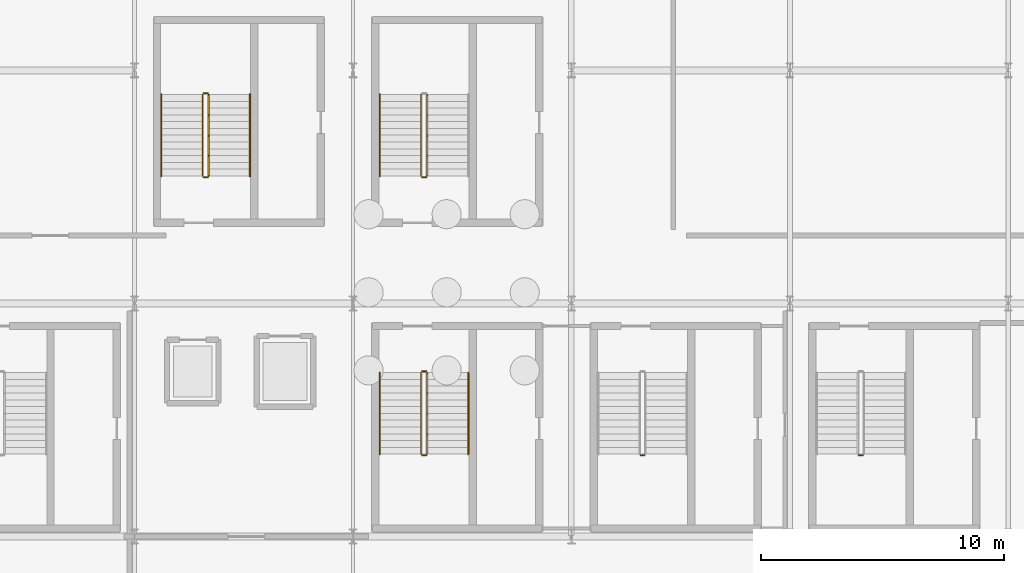
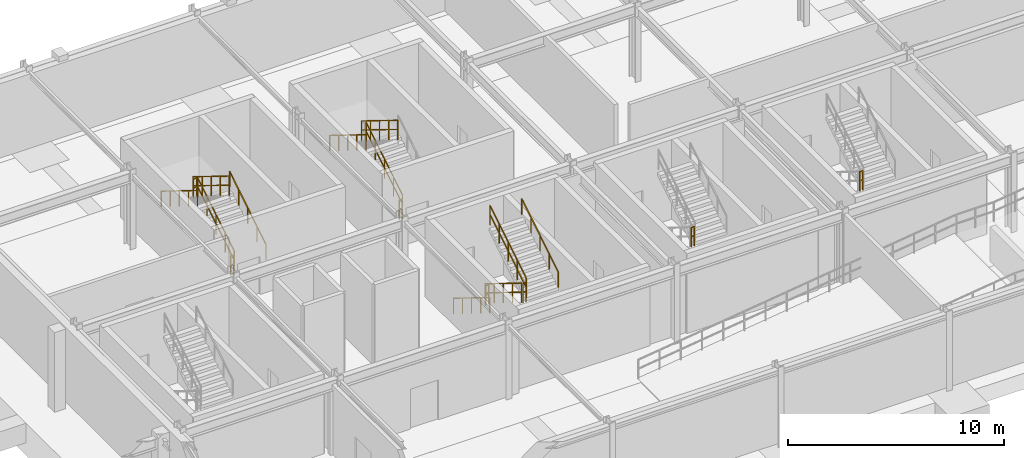
# One storey, part 52 of 59: 18 railings.
"""IFC4 building model written with IfcOpenShell, lengths in metres."""

from ifc_helpers import new_model, si_unit, direction, frame, origin, origin_2d, place, context, subcontext, project, spatial, rectangle, extrude, material, type_object, element, save


model = new_model("IFC4")

# Units and contexts
model_context = context("Model", 3, precision=1e-05, world=origin(), true_north=direction((0.0, 1.0)))
body_context = subcontext(model_context, "Body", "Model", "MODEL_VIEW")
ifc_project = project(units=[si_unit("LENGTHUNIT", "METRE"), si_unit("AREAUNIT", "SQUARE_METRE"), si_unit("VOLUMEUNIT", "CUBIC_METRE"), si_unit("PLANEANGLEUNIT", "RADIAN"), si_unit("MASSUNIT", "GRAM", prefix="KILO")], contexts=[model_context])

# Site, building, storey
site_placement = place(None, origin())
site = spatial("IfcSite", under=ifc_project, at=site_placement, CompositionType="ELEMENT")
building_placement = place(site_placement, origin())
building = spatial("IfcBuilding", under=site, at=building_placement, Name="Myrtia Square Station", CompositionType="ELEMENT")
storey_placement = place(building_placement, frame((0.0, 0.0, -4.5)))
storey = spatial("IfcBuildingStorey", under=building, at=storey_placement, Name="B01", CompositionType="ELEMENT", Elevation=-4.5)

# Railings
ifc_material_1 = material(Name="Dark bronze anodised aluminium", Category="aluminium")
railing_type_1 = type_object("IfcRailingType", Name="RL-HANDRAIL-900", PredefinedType="HANDRAIL", material=ifc_material_1)
railing_1_placement = place(storey_placement, frame((136.10009765625, 16.35009765625, 0.173095703125)))
element("IfcRailing", 1, at=railing_1_placement, inside=storey, type_object=railing_type_1, Name="B01 ST06 stair handrail 1", PredefinedType="HANDRAIL", context=body_context, shape_type="SweptSolid", body=[
    extrude(rectangle(XDim=0.048095703125, YDim=0.048095703125, at=origin_2d()), frame((0.0, -0.029541015625, 0.89404296875), z_axis=(0.0, -0.850623216509, 0.525775754039), x_axis=(1.0, 0.0, 0.0)), (0.0, 0.0, 1.0), 0.918212890625),
    extrude(rectangle(XDim=0.048095703125, YDim=0.048095703125, at=origin_2d()), frame((0.0, -0.869384765625, 1.413330078125), z_axis=(0.0, -0.850623216509, 0.525775754039), x_axis=(1.0, 0.0, 0.0)), (0.0, 0.0, 1.0), 0.918212890625),
    extrude(rectangle(XDim=0.048095703125, YDim=0.048095703125, at=origin_2d()), frame((0.0, -1.70947265625, 1.9326171875), z_axis=(0.0, -0.850623216509, 0.525775754039), x_axis=(1.0, 0.0, 0.0)), (0.0, 0.0, 1.0), 0.918212890625),
    extrude(rectangle(XDim=0.048095703125, YDim=0.048095703125, at=origin_2d()), frame((0.0, -2.549560546875, 2.45166015625), z_axis=(0.0, -0.850623216509, 0.525775754039), x_axis=(1.0, 0.0, 0.0)), (0.0, 0.0, 1.0), 0.918212890625),
    extrude(rectangle(XDim=0.0439453125, YDim=0.0439453125, at=origin_2d()), origin(), (0.0, 0.0, 1.0), 0.89990234375),
    extrude(rectangle(XDim=0.0439453125, YDim=0.0439453125, at=origin_2d()), frame((0.0, -0.840087890625, 0.519287109375)), (0.0, 0.0, 1.0), 0.89990234375),
    extrude(rectangle(XDim=0.0439453125, YDim=0.0439453125, at=origin_2d()), frame((0.0, -1.68017578125, 1.03857421875)), (0.0, 0.0, 1.0), 0.89990234375),
    extrude(rectangle(XDim=0.0439453125, YDim=0.0439453125, at=origin_2d()), frame((0.0, -2.52001953125, 1.5576171875)), (0.0, 0.0, 1.0), 0.89990234375),
    extrude(rectangle(XDim=0.0439453125, YDim=0.0439453125, at=origin_2d()), frame((0.0, -3.360107421875, 2.076904296875)), (0.0, 0.0, 1.0), 0.89990234375),
])
railing_2_placement = place(storey_placement, frame((139.760009765625, 12.989990234375, 2.423095703125)))
element("IfcRailing", 2, at=railing_2_placement, inside=storey, type_object=railing_type_1, Name="B01 ST06 stair handrail 2", PredefinedType="HANDRAIL", context=body_context, shape_type="SweptSolid", body=[
    extrude(rectangle(XDim=0.048095703125, YDim=0.048095703125, at=origin_2d()), frame((0.0, 0.029541015625, 0.89404296875), z_axis=(0.0, 0.850623216509, 0.525775754039), x_axis=(-1.0, 0.0, 0.0)), (0.0, 0.0, 1.0), 0.918212890625),
    extrude(rectangle(XDim=0.048095703125, YDim=0.048095703125, at=origin_2d()), frame((0.0, 0.869384765625, 1.413330078125), z_axis=(0.0, 0.850623216509, 0.525775754039), x_axis=(-1.0, 0.0, 0.0)), (0.0, 0.0, 1.0), 0.918212890625),
    extrude(rectangle(XDim=0.048095703125, YDim=0.048095703125, at=origin_2d()), frame((0.0, 1.70947265625, 1.9326171875), z_axis=(0.0, 0.850623216509, 0.525775754039), x_axis=(-1.0, 0.0, 0.0)), (0.0, 0.0, 1.0), 0.918212890625),
    extrude(rectangle(XDim=0.048095703125, YDim=0.048095703125, at=origin_2d()), frame((0.0, 2.549560546875, 2.45166015625), z_axis=(0.0, 0.850623216509, 0.525775754039), x_axis=(-1.0, 0.0, 0.0)), (0.0, 0.0, 1.0), 0.918212890625),
    extrude(rectangle(XDim=0.0439453125, YDim=0.0439453125, at=origin_2d()), origin(), (0.0, 0.0, 1.0), 0.89990234375),
    extrude(rectangle(XDim=0.0439453125, YDim=0.0439453125, at=origin_2d()), frame((0.0, 0.840087890625, 0.519287109375)), (0.0, 0.0, 1.0), 0.89990234375),
    extrude(rectangle(XDim=0.0439453125, YDim=0.0439453125, at=origin_2d()), frame((0.0, 1.68017578125, 1.03857421875)), (0.0, 0.0, 1.0), 0.89990234375),
    extrude(rectangle(XDim=0.0439453125, YDim=0.0439453125, at=origin_2d()), frame((0.0, 2.52001953125, 1.5576171875)), (0.0, 0.0, 1.0), 0.89990234375),
    extrude(rectangle(XDim=0.0439453125, YDim=0.0439453125, at=origin_2d()), frame((0.0, 3.360107421875, 2.076904296875)), (0.0, 0.0, 1.0), 0.89990234375),
])
railing_3_placement = place(storey_placement, frame((136.10009765625, 27.81005859375, 2.423095703125)))
element("IfcRailing", 3, at=railing_3_placement, inside=storey, type_object=railing_type_1, Name="B01 ST09 stair handrail 2", PredefinedType="HANDRAIL", context=body_context, shape_type="SweptSolid", body=[
    extrude(rectangle(XDim=0.048095703125, YDim=0.048095703125, at=origin_2d()), frame((0.0, -0.029541015625, 0.89404296875), z_axis=(0.0, -0.850623216509, 0.525775754039), x_axis=(1.0, 0.0, 0.0)), (0.0, 0.0, 1.0), 0.918212890625),
    extrude(rectangle(XDim=0.048095703125, YDim=0.048095703125, at=origin_2d()), frame((0.0, -0.869384765625, 1.413330078125), z_axis=(0.0, -0.850623216509, 0.525775754039), x_axis=(1.0, 0.0, 0.0)), (0.0, 0.0, 1.0), 0.918212890625),
    extrude(rectangle(XDim=0.048095703125, YDim=0.048095703125, at=origin_2d()), frame((0.0, -1.70947265625, 1.9326171875), z_axis=(0.0, -0.850623216509, 0.525775754039), x_axis=(1.0, 0.0, 0.0)), (0.0, 0.0, 1.0), 0.918212890625),
    extrude(rectangle(XDim=0.048095703125, YDim=0.048095703125, at=origin_2d()), frame((0.0, -2.549560546875, 2.45166015625), z_axis=(0.0, -0.850623216509, 0.525775754039), x_axis=(1.0, 0.0, 0.0)), (0.0, 0.0, 1.0), 0.918212890625),
    extrude(rectangle(XDim=0.0439453125, YDim=0.0439453125, at=origin_2d()), origin(), (0.0, 0.0, 1.0), 0.89990234375),
    extrude(rectangle(XDim=0.0439453125, YDim=0.0439453125, at=origin_2d()), frame((0.0, -0.840087890625, 0.519287109375)), (0.0, 0.0, 1.0), 0.89990234375),
    extrude(rectangle(XDim=0.0439453125, YDim=0.0439453125, at=origin_2d()), frame((0.0, -1.68017578125, 1.03857421875)), (0.0, 0.0, 1.0), 0.89990234375),
    extrude(rectangle(XDim=0.0439453125, YDim=0.0439453125, at=origin_2d()), frame((0.0, -2.52001953125, 1.5576171875)), (0.0, 0.0, 1.0), 0.89990234375),
    extrude(rectangle(XDim=0.0439453125, YDim=0.0439453125, at=origin_2d()), frame((0.0, -3.360107421875, 2.076904296875)), (0.0, 0.0, 1.0), 0.89990234375),
])
railing_4_placement = place(storey_placement, frame((130.760009765625, 24.449951171875, 0.173095703125)))
element("IfcRailing", 4, at=railing_4_placement, inside=storey, type_object=railing_type_1, Name="B01 ST10 stair handrail 1", PredefinedType="HANDRAIL", context=body_context, shape_type="SweptSolid", body=[
    extrude(rectangle(XDim=0.048095703125, YDim=0.048095703125, at=origin_2d()), frame((0.0, 0.029541015625, 0.89404296875), z_axis=(0.0, 0.850623216509, 0.525775754039), x_axis=(-1.0, 0.0, 0.0)), (0.0, 0.0, 1.0), 0.918212890625),
    extrude(rectangle(XDim=0.048095703125, YDim=0.048095703125, at=origin_2d()), frame((0.0, 0.869384765625, 1.413330078125), z_axis=(0.0, 0.850623216509, 0.525775754039), x_axis=(-1.0, 0.0, 0.0)), (0.0, 0.0, 1.0), 0.918212890625),
    extrude(rectangle(XDim=0.048095703125, YDim=0.048095703125, at=origin_2d()), frame((0.0, 1.70947265625, 1.9326171875), z_axis=(0.0, 0.850623216509, 0.525775754039), x_axis=(-1.0, 0.0, 0.0)), (0.0, 0.0, 1.0), 0.918212890625),
    extrude(rectangle(XDim=0.048095703125, YDim=0.048095703125, at=origin_2d()), frame((0.0, 2.549560546875, 2.45166015625), z_axis=(0.0, 0.850623216509, 0.525775754039), x_axis=(-1.0, 0.0, 0.0)), (0.0, 0.0, 1.0), 0.918212890625),
    extrude(rectangle(XDim=0.0439453125, YDim=0.0439453125, at=origin_2d()), origin(), (0.0, 0.0, 1.0), 0.89990234375),
    extrude(rectangle(XDim=0.0439453125, YDim=0.0439453125, at=origin_2d()), frame((0.0, 0.840087890625, 0.519287109375)), (0.0, 0.0, 1.0), 0.89990234375),
    extrude(rectangle(XDim=0.0439453125, YDim=0.0439453125, at=origin_2d()), frame((0.0, 1.68017578125, 1.03857421875)), (0.0, 0.0, 1.0), 0.89990234375),
    extrude(rectangle(XDim=0.0439453125, YDim=0.0439453125, at=origin_2d()), frame((0.0, 2.52001953125, 1.5576171875)), (0.0, 0.0, 1.0), 0.89990234375),
    extrude(rectangle(XDim=0.0439453125, YDim=0.0439453125, at=origin_2d()), frame((0.0, 3.360107421875, 2.076904296875)), (0.0, 0.0, 1.0), 0.89990234375),
])
railing_5_placement = place(storey_placement, frame((127.10009765625, 27.81005859375, 2.423095703125)))
element("IfcRailing", 5, at=railing_5_placement, inside=storey, type_object=railing_type_1, Name="B01 ST10 stair handrail 2", PredefinedType="HANDRAIL", context=body_context, shape_type="SweptSolid", body=[
    extrude(rectangle(XDim=0.048095703125, YDim=0.048095703125, at=origin_2d()), frame((0.0, -0.029541015625, 0.89404296875), z_axis=(0.0, -0.850623216509, 0.525775754039), x_axis=(1.0, 0.0, 0.0)), (0.0, 0.0, 1.0), 0.918212890625),
    extrude(rectangle(XDim=0.048095703125, YDim=0.048095703125, at=origin_2d()), frame((0.0, -0.869384765625, 1.413330078125), z_axis=(0.0, -0.850623216509, 0.525775754039), x_axis=(1.0, 0.0, 0.0)), (0.0, 0.0, 1.0), 0.918212890625),
    extrude(rectangle(XDim=0.048095703125, YDim=0.048095703125, at=origin_2d()), frame((0.0, -1.70947265625, 1.9326171875), z_axis=(0.0, -0.850623216509, 0.525775754039), x_axis=(1.0, 0.0, 0.0)), (0.0, 0.0, 1.0), 0.918212890625),
    extrude(rectangle(XDim=0.048095703125, YDim=0.048095703125, at=origin_2d()), frame((0.0, -2.549560546875, 2.45166015625), z_axis=(0.0, -0.850623216509, 0.525775754039), x_axis=(1.0, 0.0, 0.0)), (0.0, 0.0, 1.0), 0.918212890625),
    extrude(rectangle(XDim=0.0439453125, YDim=0.0439453125, at=origin_2d()), origin(), (0.0, 0.0, 1.0), 0.89990234375),
    extrude(rectangle(XDim=0.0439453125, YDim=0.0439453125, at=origin_2d()), frame((0.0, -0.840087890625, 0.519287109375)), (0.0, 0.0, 1.0), 0.89990234375),
    extrude(rectangle(XDim=0.0439453125, YDim=0.0439453125, at=origin_2d()), frame((0.0, -1.68017578125, 1.03857421875)), (0.0, 0.0, 1.0), 0.89990234375),
    extrude(rectangle(XDim=0.0439453125, YDim=0.0439453125, at=origin_2d()), frame((0.0, -2.52001953125, 1.5576171875)), (0.0, 0.0, 1.0), 0.89990234375),
    extrude(rectangle(XDim=0.0439453125, YDim=0.0439453125, at=origin_2d()), frame((0.0, -3.360107421875, 2.076904296875)), (0.0, 0.0, 1.0), 0.89990234375),
])
ifc_material_2 = material(Name="Wrought iron", Category="steel")
railing_type_2 = type_object("IfcRailingType", Name="RL-INT-GUARD-1100", PredefinedType="BALUSTRADE", material=ifc_material_2)
railing_6_placement = place(storey_placement, frame((137.800048828125, 16.35009765625, 0.173095703125)))
element("IfcRailing", 6, at=railing_6_placement, inside=storey, type_object=railing_type_2, Name="B01 ST06 stair guard 1", PredefinedType="BALUSTRADE", context=body_context, shape_type="SweptSolid", body=[
    extrude(rectangle(XDim=0.048095703125, YDim=0.048095703125, at=origin_2d()), frame((0.0, -0.029541015625, 1.1142578125), z_axis=(0.0, -0.850623216509, 0.525775754039), x_axis=(1.0, 0.0, 0.0)), (0.0, 0.0, 1.0), 0.918212890625),
    extrude(rectangle(XDim=0.048095703125, YDim=0.048095703125, at=origin_2d()), frame((0.0, -0.029541015625, 0.6005859375), z_axis=(0.0, -0.850623216509, 0.525775754039), x_axis=(1.0, 0.0, 0.0)), (0.0, 0.0, 1.0), 0.918212890625),
    extrude(rectangle(XDim=0.048095703125, YDim=0.048095703125, at=origin_2d()), frame((0.0, -0.869384765625, 1.633544921875), z_axis=(0.0, -0.850623216509, 0.525775754039), x_axis=(1.0, 0.0, 0.0)), (0.0, 0.0, 1.0), 0.918212890625),
    extrude(rectangle(XDim=0.048095703125, YDim=0.048095703125, at=origin_2d()), frame((0.0, -0.869384765625, 1.119873046875), z_axis=(0.0, -0.850623216509, 0.525775754039), x_axis=(1.0, 0.0, 0.0)), (0.0, 0.0, 1.0), 0.918212890625),
    extrude(rectangle(XDim=0.048095703125, YDim=0.048095703125, at=origin_2d()), frame((0.0, -1.70947265625, 2.15283203125), z_axis=(0.0, -0.850623216509, 0.525775754039), x_axis=(1.0, 0.0, 0.0)), (0.0, 0.0, 1.0), 0.918212890625),
    extrude(rectangle(XDim=0.048095703125, YDim=0.048095703125, at=origin_2d()), frame((0.0, -1.70947265625, 1.63916015625), z_axis=(0.0, -0.850623216509, 0.525775754039), x_axis=(1.0, 0.0, 0.0)), (0.0, 0.0, 1.0), 0.918212890625),
    extrude(rectangle(XDim=0.048095703125, YDim=0.048095703125, at=origin_2d()), frame((0.0, -2.549560546875, 2.671875), z_axis=(0.0, -0.850623216509, 0.525775754039), x_axis=(1.0, 0.0, 0.0)), (0.0, 0.0, 1.0), 0.918212890625),
    extrude(rectangle(XDim=0.048095703125, YDim=0.048095703125, at=origin_2d()), frame((0.0, -2.549560546875, 2.158447265625), z_axis=(0.0, -0.850623216509, 0.525775754039), x_axis=(1.0, 0.0, 0.0)), (0.0, 0.0, 1.0), 0.918212890625),
    extrude(rectangle(XDim=0.0439453125, YDim=0.0439453125, at=origin_2d()), origin(), (0.0, 0.0, 1.0), 1.1201171875),
    extrude(rectangle(XDim=0.0439453125, YDim=0.0439453125, at=origin_2d()), frame((0.0, -0.840087890625, 0.519287109375)), (0.0, 0.0, 1.0), 1.1201171875),
    extrude(rectangle(XDim=0.0439453125, YDim=0.0439453125, at=origin_2d()), frame((0.0, -1.68017578125, 1.03857421875)), (0.0, 0.0, 1.0), 1.1201171875),
    extrude(rectangle(XDim=0.0439453125, YDim=0.0439453125, at=origin_2d()), frame((0.0, -2.52001953125, 1.5576171875)), (0.0, 0.0, 1.0), 1.1201171875),
    extrude(rectangle(XDim=0.0439453125, YDim=0.0439453125, at=origin_2d()), frame((0.0, -3.360107421875, 2.076904296875)), (0.0, 0.0, 1.0), 1.1201171875),
])
railing_7_placement = place(storey_placement, frame((137.85009765625, 12.93994140625, 2.25)))
element("IfcRailing", 7, at=railing_7_placement, inside=storey, type_object=railing_type_2, Name="B01 ST06 stair guard 2", PredefinedType="BALUSTRADE", context=body_context, shape_type="SweptSolid", body=[
    extrude(rectangle(XDim=0.048095703125, YDim=0.048095703125, at=origin_2d()), frame((0.03466796875, 0.0, 1.09619140625), z_axis=(1.0, 0.0, 0.0), x_axis=(0.0, 1.0, 0.0)), (0.0, 0.0, 1.0), 0.090576171875),
    extrude(rectangle(XDim=0.048095703125, YDim=0.048095703125, at=origin_2d()), frame((0.03466796875, 0.0, 0.58251953125), z_axis=(1.0, 0.0, 0.0), x_axis=(0.0, 1.0, 0.0)), (0.0, 0.0, 1.0), 0.090576171875),
    extrude(rectangle(XDim=0.0439453125, YDim=0.0439453125, at=origin_2d()), origin(), (0.0, 0.0, 1.0), 1.1201171875),
    extrude(rectangle(XDim=0.0439453125, YDim=0.0439453125, at=origin_2d()), frame((0.159912109375, 0.0, 0.0)), (0.0, 0.0, 1.0), 1.1201171875),
])
railing_8_placement = place(storey_placement, frame((138.06005859375, 12.989990234375, 2.423095703125)))
element("IfcRailing", 8, at=railing_8_placement, inside=storey, type_object=railing_type_2, Name="B01 ST06 stair guard 3", PredefinedType="BALUSTRADE", context=body_context, shape_type="SweptSolid", body=[
    extrude(rectangle(XDim=0.048095703125, YDim=0.048095703125, at=origin_2d()), frame((0.0, 0.029541015625, 1.1142578125), z_axis=(0.0, 0.850623216509, 0.525775754039), x_axis=(-1.0, 0.0, 0.0)), (0.0, 0.0, 1.0), 0.918212890625),
    extrude(rectangle(XDim=0.048095703125, YDim=0.048095703125, at=origin_2d()), frame((0.0, 0.029541015625, 0.6005859375), z_axis=(0.0, 0.850623216509, 0.525775754039), x_axis=(-1.0, 0.0, 0.0)), (0.0, 0.0, 1.0), 0.918212890625),
    extrude(rectangle(XDim=0.048095703125, YDim=0.048095703125, at=origin_2d()), frame((0.0, 0.869384765625, 1.633544921875), z_axis=(0.0, 0.850623216509, 0.525775754039), x_axis=(-1.0, 0.0, 0.0)), (0.0, 0.0, 1.0), 0.918212890625),
    extrude(rectangle(XDim=0.048095703125, YDim=0.048095703125, at=origin_2d()), frame((0.0, 0.869384765625, 1.119873046875), z_axis=(0.0, 0.850623216509, 0.525775754039), x_axis=(-1.0, 0.0, 0.0)), (0.0, 0.0, 1.0), 0.918212890625),
    extrude(rectangle(XDim=0.048095703125, YDim=0.048095703125, at=origin_2d()), frame((0.0, 1.70947265625, 2.15283203125), z_axis=(0.0, 0.850623216509, 0.525775754039), x_axis=(-1.0, 0.0, 0.0)), (0.0, 0.0, 1.0), 0.918212890625),
    extrude(rectangle(XDim=0.048095703125, YDim=0.048095703125, at=origin_2d()), frame((0.0, 1.70947265625, 1.63916015625), z_axis=(0.0, 0.850623216509, 0.525775754039), x_axis=(-1.0, 0.0, 0.0)), (0.0, 0.0, 1.0), 0.918212890625),
    extrude(rectangle(XDim=0.048095703125, YDim=0.048095703125, at=origin_2d()), frame((0.0, 2.549560546875, 2.671875), z_axis=(0.0, 0.850623216509, 0.525775754039), x_axis=(-1.0, 0.0, 0.0)), (0.0, 0.0, 1.0), 0.918212890625),
    extrude(rectangle(XDim=0.048095703125, YDim=0.048095703125, at=origin_2d()), frame((0.0, 2.549560546875, 2.158447265625), z_axis=(0.0, 0.850623216509, 0.525775754039), x_axis=(-1.0, 0.0, 0.0)), (0.0, 0.0, 1.0), 0.918212890625),
    extrude(rectangle(XDim=0.0439453125, YDim=0.0439453125, at=origin_2d()), origin(), (0.0, 0.0, 1.0), 1.1201171875),
    extrude(rectangle(XDim=0.0439453125, YDim=0.0439453125, at=origin_2d()), frame((0.0, 0.840087890625, 0.519287109375)), (0.0, 0.0, 1.0), 1.1201171875),
    extrude(rectangle(XDim=0.0439453125, YDim=0.0439453125, at=origin_2d()), frame((0.0, 1.68017578125, 1.03857421875)), (0.0, 0.0, 1.0), 1.1201171875),
    extrude(rectangle(XDim=0.0439453125, YDim=0.0439453125, at=origin_2d()), frame((0.0, 2.52001953125, 1.5576171875)), (0.0, 0.0, 1.0), 1.1201171875),
    extrude(rectangle(XDim=0.0439453125, YDim=0.0439453125, at=origin_2d()), frame((0.0, 3.360107421875, 2.076904296875)), (0.0, 0.0, 1.0), 1.1201171875),
])
railing_9_placement = place(storey_placement, frame((137.85009765625, 16.39990234375, 0.0)))
element("IfcRailing", 9, at=railing_9_placement, inside=storey, type_object=railing_type_2, Name="B01 ST06 stair guard 4", PredefinedType="BALUSTRADE", context=body_context, shape_type="SweptSolid", body=[
    extrude(rectangle(XDim=0.048095703125, YDim=0.048095703125, at=origin_2d()), frame((0.03466796875, 0.0, 1.09619140625), z_axis=(1.0, 0.0, 0.0), x_axis=(0.0, 1.0, 0.0)), (0.0, 0.0, 1.0), 0.090576171875),
    extrude(rectangle(XDim=0.048095703125, YDim=0.048095703125, at=origin_2d()), frame((0.03466796875, 0.0, 0.58251953125), z_axis=(1.0, 0.0, 0.0), x_axis=(0.0, 1.0, 0.0)), (0.0, 0.0, 1.0), 0.090576171875),
    extrude(rectangle(XDim=0.0439453125, YDim=0.0439453125, at=origin_2d()), origin(), (0.0, 0.0, 1.0), 1.1201171875),
    extrude(rectangle(XDim=0.0439453125, YDim=0.0439453125, at=origin_2d()), frame((0.159912109375, 0.0, 0.0)), (0.0, 0.0, 1.0), 1.1201171875),
])
railing_10_placement = place(storey_placement, frame((138.06005859375, 24.449951171875, 0.173095703125)))
element("IfcRailing", 10, at=railing_10_placement, inside=storey, type_object=railing_type_2, Name="B01 ST09 stair guard 1", PredefinedType="BALUSTRADE", context=body_context, shape_type="SweptSolid", body=[
    extrude(rectangle(XDim=0.048095703125, YDim=0.048095703125, at=origin_2d()), frame((0.0, 0.029541015625, 1.1142578125), z_axis=(0.0, 0.850623216509, 0.525775754039), x_axis=(-1.0, 0.0, 0.0)), (0.0, 0.0, 1.0), 0.918212890625),
    extrude(rectangle(XDim=0.048095703125, YDim=0.048095703125, at=origin_2d()), frame((0.0, 0.029541015625, 0.6005859375), z_axis=(0.0, 0.850623216509, 0.525775754039), x_axis=(-1.0, 0.0, 0.0)), (0.0, 0.0, 1.0), 0.918212890625),
    extrude(rectangle(XDim=0.048095703125, YDim=0.048095703125, at=origin_2d()), frame((0.0, 0.869384765625, 1.633544921875), z_axis=(0.0, 0.850623216509, 0.525775754039), x_axis=(-1.0, 0.0, 0.0)), (0.0, 0.0, 1.0), 0.918212890625),
    extrude(rectangle(XDim=0.048095703125, YDim=0.048095703125, at=origin_2d()), frame((0.0, 0.869384765625, 1.119873046875), z_axis=(0.0, 0.850623216509, 0.525775754039), x_axis=(-1.0, 0.0, 0.0)), (0.0, 0.0, 1.0), 0.918212890625),
    extrude(rectangle(XDim=0.048095703125, YDim=0.048095703125, at=origin_2d()), frame((0.0, 1.70947265625, 2.15283203125), z_axis=(0.0, 0.850623216509, 0.525775754039), x_axis=(-1.0, 0.0, 0.0)), (0.0, 0.0, 1.0), 0.918212890625),
    extrude(rectangle(XDim=0.048095703125, YDim=0.048095703125, at=origin_2d()), frame((0.0, 1.70947265625, 1.63916015625), z_axis=(0.0, 0.850623216509, 0.525775754039), x_axis=(-1.0, 0.0, 0.0)), (0.0, 0.0, 1.0), 0.918212890625),
    extrude(rectangle(XDim=0.048095703125, YDim=0.048095703125, at=origin_2d()), frame((0.0, 2.549560546875, 2.671875), z_axis=(0.0, 0.850623216509, 0.525775754039), x_axis=(-1.0, 0.0, 0.0)), (0.0, 0.0, 1.0), 0.918212890625),
    extrude(rectangle(XDim=0.048095703125, YDim=0.048095703125, at=origin_2d()), frame((0.0, 2.549560546875, 2.158447265625), z_axis=(0.0, 0.850623216509, 0.525775754039), x_axis=(-1.0, 0.0, 0.0)), (0.0, 0.0, 1.0), 0.918212890625),
    extrude(rectangle(XDim=0.0439453125, YDim=0.0439453125, at=origin_2d()), origin(), (0.0, 0.0, 1.0), 1.1201171875),
    extrude(rectangle(XDim=0.0439453125, YDim=0.0439453125, at=origin_2d()), frame((0.0, 0.840087890625, 0.519287109375)), (0.0, 0.0, 1.0), 1.1201171875),
    extrude(rectangle(XDim=0.0439453125, YDim=0.0439453125, at=origin_2d()), frame((0.0, 1.68017578125, 1.03857421875)), (0.0, 0.0, 1.0), 1.1201171875),
    extrude(rectangle(XDim=0.0439453125, YDim=0.0439453125, at=origin_2d()), frame((0.0, 2.52001953125, 1.5576171875)), (0.0, 0.0, 1.0), 1.1201171875),
    extrude(rectangle(XDim=0.0439453125, YDim=0.0439453125, at=origin_2d()), frame((0.0, 3.360107421875, 2.076904296875)), (0.0, 0.0, 1.0), 1.1201171875),
])
railing_11_placement = place(storey_placement, frame((137.800048828125, 27.81005859375, 2.423095703125)))
element("IfcRailing", 11, at=railing_11_placement, inside=storey, type_object=railing_type_2, Name="B01 ST09 stair guard 3", PredefinedType="BALUSTRADE", context=body_context, shape_type="SweptSolid", body=[
    extrude(rectangle(XDim=0.048095703125, YDim=0.048095703125, at=origin_2d()), frame((0.0, -0.029541015625, 1.1142578125), z_axis=(0.0, -0.850623216509, 0.525775754039), x_axis=(1.0, 0.0, 0.0)), (0.0, 0.0, 1.0), 0.918212890625),
    extrude(rectangle(XDim=0.048095703125, YDim=0.048095703125, at=origin_2d()), frame((0.0, -0.029541015625, 0.6005859375), z_axis=(0.0, -0.850623216509, 0.525775754039), x_axis=(1.0, 0.0, 0.0)), (0.0, 0.0, 1.0), 0.918212890625),
    extrude(rectangle(XDim=0.048095703125, YDim=0.048095703125, at=origin_2d()), frame((0.0, -0.869384765625, 1.633544921875), z_axis=(0.0, -0.850623216509, 0.525775754039), x_axis=(1.0, 0.0, 0.0)), (0.0, 0.0, 1.0), 0.918212890625),
    extrude(rectangle(XDim=0.048095703125, YDim=0.048095703125, at=origin_2d()), frame((0.0, -0.869384765625, 1.119873046875), z_axis=(0.0, -0.850623216509, 0.525775754039), x_axis=(1.0, 0.0, 0.0)), (0.0, 0.0, 1.0), 0.918212890625),
    extrude(rectangle(XDim=0.048095703125, YDim=0.048095703125, at=origin_2d()), frame((0.0, -1.70947265625, 2.15283203125), z_axis=(0.0, -0.850623216509, 0.525775754039), x_axis=(1.0, 0.0, 0.0)), (0.0, 0.0, 1.0), 0.918212890625),
    extrude(rectangle(XDim=0.048095703125, YDim=0.048095703125, at=origin_2d()), frame((0.0, -1.70947265625, 1.63916015625), z_axis=(0.0, -0.850623216509, 0.525775754039), x_axis=(1.0, 0.0, 0.0)), (0.0, 0.0, 1.0), 0.918212890625),
    extrude(rectangle(XDim=0.048095703125, YDim=0.048095703125, at=origin_2d()), frame((0.0, -2.549560546875, 2.671875), z_axis=(0.0, -0.850623216509, 0.525775754039), x_axis=(1.0, 0.0, 0.0)), (0.0, 0.0, 1.0), 0.918212890625),
    extrude(rectangle(XDim=0.048095703125, YDim=0.048095703125, at=origin_2d()), frame((0.0, -2.549560546875, 2.158447265625), z_axis=(0.0, -0.850623216509, 0.525775754039), x_axis=(1.0, 0.0, 0.0)), (0.0, 0.0, 1.0), 0.918212890625),
    extrude(rectangle(XDim=0.0439453125, YDim=0.0439453125, at=origin_2d()), origin(), (0.0, 0.0, 1.0), 1.1201171875),
    extrude(rectangle(XDim=0.0439453125, YDim=0.0439453125, at=origin_2d()), frame((0.0, -0.840087890625, 0.519287109375)), (0.0, 0.0, 1.0), 1.1201171875),
    extrude(rectangle(XDim=0.0439453125, YDim=0.0439453125, at=origin_2d()), frame((0.0, -1.68017578125, 1.03857421875)), (0.0, 0.0, 1.0), 1.1201171875),
    extrude(rectangle(XDim=0.0439453125, YDim=0.0439453125, at=origin_2d()), frame((0.0, -2.52001953125, 1.5576171875)), (0.0, 0.0, 1.0), 1.1201171875),
    extrude(rectangle(XDim=0.0439453125, YDim=0.0439453125, at=origin_2d()), frame((0.0, -3.360107421875, 2.076904296875)), (0.0, 0.0, 1.0), 1.1201171875),
])
railing_12_placement = place(storey_placement, frame((138.010009765625, 24.39990234375, 0.0)))
element("IfcRailing", 12, at=railing_12_placement, inside=storey, type_object=railing_type_2, Name="B01 ST09 stair guard 4", PredefinedType="BALUSTRADE", context=body_context, shape_type="SweptSolid", body=[
    extrude(rectangle(XDim=0.048095703125, YDim=0.048095703125, at=origin_2d()), frame((-0.03466796875, 0.0, 1.09619140625), z_axis=(-1.0, 0.0, 0.0), x_axis=(0.0, -1.0, 0.0)), (0.0, 0.0, 1.0), 0.090576171875),
    extrude(rectangle(XDim=0.048095703125, YDim=0.048095703125, at=origin_2d()), frame((-0.03466796875, 0.0, 0.58251953125), z_axis=(-1.0, 0.0, 0.0), x_axis=(0.0, -1.0, 0.0)), (0.0, 0.0, 1.0), 0.090576171875),
    extrude(rectangle(XDim=0.0439453125, YDim=0.0439453125, at=origin_2d()), origin(), (0.0, 0.0, 1.0), 1.1201171875),
    extrude(rectangle(XDim=0.0439453125, YDim=0.0439453125, at=origin_2d()), frame((-0.159912109375, 0.0, 0.0)), (0.0, 0.0, 1.0), 1.1201171875),
])
railing_13_placement = place(storey_placement, frame((129.06005859375, 24.449951171875, 0.173095703125)))
element("IfcRailing", 13, at=railing_13_placement, inside=storey, type_object=railing_type_2, Name="B01 ST10 stair guard 1", PredefinedType="BALUSTRADE", context=body_context, shape_type="SweptSolid", body=[
    extrude(rectangle(XDim=0.048095703125, YDim=0.048095703125, at=origin_2d()), frame((0.0, 0.029541015625, 1.1142578125), z_axis=(0.0, 0.850623216509, 0.525775754039), x_axis=(-1.0, 0.0, 0.0)), (0.0, 0.0, 1.0), 0.918212890625),
    extrude(rectangle(XDim=0.048095703125, YDim=0.048095703125, at=origin_2d()), frame((0.0, 0.029541015625, 0.6005859375), z_axis=(0.0, 0.850623216509, 0.525775754039), x_axis=(-1.0, 0.0, 0.0)), (0.0, 0.0, 1.0), 0.918212890625),
    extrude(rectangle(XDim=0.048095703125, YDim=0.048095703125, at=origin_2d()), frame((0.0, 0.869384765625, 1.633544921875), z_axis=(0.0, 0.850623216509, 0.525775754039), x_axis=(-1.0, 0.0, 0.0)), (0.0, 0.0, 1.0), 0.918212890625),
    extrude(rectangle(XDim=0.048095703125, YDim=0.048095703125, at=origin_2d()), frame((0.0, 0.869384765625, 1.119873046875), z_axis=(0.0, 0.850623216509, 0.525775754039), x_axis=(-1.0, 0.0, 0.0)), (0.0, 0.0, 1.0), 0.918212890625),
    extrude(rectangle(XDim=0.048095703125, YDim=0.048095703125, at=origin_2d()), frame((0.0, 1.70947265625, 2.15283203125), z_axis=(0.0, 0.850623216509, 0.525775754039), x_axis=(-1.0, 0.0, 0.0)), (0.0, 0.0, 1.0), 0.918212890625),
    extrude(rectangle(XDim=0.048095703125, YDim=0.048095703125, at=origin_2d()), frame((0.0, 1.70947265625, 1.63916015625), z_axis=(0.0, 0.850623216509, 0.525775754039), x_axis=(-1.0, 0.0, 0.0)), (0.0, 0.0, 1.0), 0.918212890625),
    extrude(rectangle(XDim=0.048095703125, YDim=0.048095703125, at=origin_2d()), frame((0.0, 2.549560546875, 2.671875), z_axis=(0.0, 0.850623216509, 0.525775754039), x_axis=(-1.0, 0.0, 0.0)), (0.0, 0.0, 1.0), 0.918212890625),
    extrude(rectangle(XDim=0.048095703125, YDim=0.048095703125, at=origin_2d()), frame((0.0, 2.549560546875, 2.158447265625), z_axis=(0.0, 0.850623216509, 0.525775754039), x_axis=(-1.0, 0.0, 0.0)), (0.0, 0.0, 1.0), 0.918212890625),
    extrude(rectangle(XDim=0.0439453125, YDim=0.0439453125, at=origin_2d()), origin(), (0.0, 0.0, 1.0), 1.1201171875),
    extrude(rectangle(XDim=0.0439453125, YDim=0.0439453125, at=origin_2d()), frame((0.0, 0.840087890625, 0.519287109375)), (0.0, 0.0, 1.0), 1.1201171875),
    extrude(rectangle(XDim=0.0439453125, YDim=0.0439453125, at=origin_2d()), frame((0.0, 1.68017578125, 1.03857421875)), (0.0, 0.0, 1.0), 1.1201171875),
    extrude(rectangle(XDim=0.0439453125, YDim=0.0439453125, at=origin_2d()), frame((0.0, 2.52001953125, 1.5576171875)), (0.0, 0.0, 1.0), 1.1201171875),
    extrude(rectangle(XDim=0.0439453125, YDim=0.0439453125, at=origin_2d()), frame((0.0, 3.360107421875, 2.076904296875)), (0.0, 0.0, 1.0), 1.1201171875),
])
railing_14_placement = place(storey_placement, frame((129.010009765625, 27.860107421875, 2.25)))
element("IfcRailing", 14, at=railing_14_placement, inside=storey, type_object=railing_type_2, Name="B01 ST10 stair guard 2", PredefinedType="BALUSTRADE", context=body_context, shape_type="SweptSolid", body=[
    extrude(rectangle(XDim=0.048095703125, YDim=0.048095703125, at=origin_2d()), frame((-0.03466796875, 0.0, 1.09619140625), z_axis=(-1.0, 0.0, 0.0), x_axis=(0.0, -1.0, 0.0)), (0.0, 0.0, 1.0), 0.090576171875),
    extrude(rectangle(XDim=0.048095703125, YDim=0.048095703125, at=origin_2d()), frame((-0.03466796875, 0.0, 0.58251953125), z_axis=(-1.0, 0.0, 0.0), x_axis=(0.0, -1.0, 0.0)), (0.0, 0.0, 1.0), 0.090576171875),
    extrude(rectangle(XDim=0.0439453125, YDim=0.0439453125, at=origin_2d()), origin(), (0.0, 0.0, 1.0), 1.1201171875),
    extrude(rectangle(XDim=0.0439453125, YDim=0.0439453125, at=origin_2d()), frame((-0.159912109375, 0.0, 0.0)), (0.0, 0.0, 1.0), 1.1201171875),
])
railing_15_placement = place(storey_placement, frame((128.800048828125, 27.81005859375, 2.423095703125)))
element("IfcRailing", 15, at=railing_15_placement, inside=storey, type_object=railing_type_2, Name="B01 ST10 stair guard 3", PredefinedType="BALUSTRADE", context=body_context, shape_type="SweptSolid", body=[
    extrude(rectangle(XDim=0.048095703125, YDim=0.048095703125, at=origin_2d()), frame((0.0, -0.029541015625, 1.1142578125), z_axis=(0.0, -0.850623216509, 0.525775754039), x_axis=(1.0, 0.0, 0.0)), (0.0, 0.0, 1.0), 0.918212890625),
    extrude(rectangle(XDim=0.048095703125, YDim=0.048095703125, at=origin_2d()), frame((0.0, -0.029541015625, 0.6005859375), z_axis=(0.0, -0.850623216509, 0.525775754039), x_axis=(1.0, 0.0, 0.0)), (0.0, 0.0, 1.0), 0.918212890625),
    extrude(rectangle(XDim=0.048095703125, YDim=0.048095703125, at=origin_2d()), frame((0.0, -0.869384765625, 1.633544921875), z_axis=(0.0, -0.850623216509, 0.525775754039), x_axis=(1.0, 0.0, 0.0)), (0.0, 0.0, 1.0), 0.918212890625),
    extrude(rectangle(XDim=0.048095703125, YDim=0.048095703125, at=origin_2d()), frame((0.0, -0.869384765625, 1.119873046875), z_axis=(0.0, -0.850623216509, 0.525775754039), x_axis=(1.0, 0.0, 0.0)), (0.0, 0.0, 1.0), 0.918212890625),
    extrude(rectangle(XDim=0.048095703125, YDim=0.048095703125, at=origin_2d()), frame((0.0, -1.70947265625, 2.15283203125), z_axis=(0.0, -0.850623216509, 0.525775754039), x_axis=(1.0, 0.0, 0.0)), (0.0, 0.0, 1.0), 0.918212890625),
    extrude(rectangle(XDim=0.048095703125, YDim=0.048095703125, at=origin_2d()), frame((0.0, -1.70947265625, 1.63916015625), z_axis=(0.0, -0.850623216509, 0.525775754039), x_axis=(1.0, 0.0, 0.0)), (0.0, 0.0, 1.0), 0.918212890625),
    extrude(rectangle(XDim=0.048095703125, YDim=0.048095703125, at=origin_2d()), frame((0.0, -2.549560546875, 2.671875), z_axis=(0.0, -0.850623216509, 0.525775754039), x_axis=(1.0, 0.0, 0.0)), (0.0, 0.0, 1.0), 0.918212890625),
    extrude(rectangle(XDim=0.048095703125, YDim=0.048095703125, at=origin_2d()), frame((0.0, -2.549560546875, 2.158447265625), z_axis=(0.0, -0.850623216509, 0.525775754039), x_axis=(1.0, 0.0, 0.0)), (0.0, 0.0, 1.0), 0.918212890625),
    extrude(rectangle(XDim=0.0439453125, YDim=0.0439453125, at=origin_2d()), origin(), (0.0, 0.0, 1.0), 1.1201171875),
    extrude(rectangle(XDim=0.0439453125, YDim=0.0439453125, at=origin_2d()), frame((0.0, -0.840087890625, 0.519287109375)), (0.0, 0.0, 1.0), 1.1201171875),
    extrude(rectangle(XDim=0.0439453125, YDim=0.0439453125, at=origin_2d()), frame((0.0, -1.68017578125, 1.03857421875)), (0.0, 0.0, 1.0), 1.1201171875),
    extrude(rectangle(XDim=0.0439453125, YDim=0.0439453125, at=origin_2d()), frame((0.0, -2.52001953125, 1.5576171875)), (0.0, 0.0, 1.0), 1.1201171875),
    extrude(rectangle(XDim=0.0439453125, YDim=0.0439453125, at=origin_2d()), frame((0.0, -3.360107421875, 2.076904296875)), (0.0, 0.0, 1.0), 1.1201171875),
])
railing_16_placement = place(storey_placement, frame((129.010009765625, 24.39990234375, 0.0)))
element("IfcRailing", 16, at=railing_16_placement, inside=storey, type_object=railing_type_2, Name="B01 ST10 stair guard 4", PredefinedType="BALUSTRADE", context=body_context, shape_type="SweptSolid", body=[
    extrude(rectangle(XDim=0.048095703125, YDim=0.048095703125, at=origin_2d()), frame((-0.03466796875, 0.0, 1.09619140625), z_axis=(-1.0, 0.0, 0.0), x_axis=(0.0, -1.0, 0.0)), (0.0, 0.0, 1.0), 0.090576171875),
    extrude(rectangle(XDim=0.048095703125, YDim=0.048095703125, at=origin_2d()), frame((-0.03466796875, 0.0, 0.58251953125), z_axis=(-1.0, 0.0, 0.0), x_axis=(0.0, -1.0, 0.0)), (0.0, 0.0, 1.0), 0.090576171875),
    extrude(rectangle(XDim=0.0439453125, YDim=0.0439453125, at=origin_2d()), origin(), (0.0, 0.0, 1.0), 1.1201171875),
    extrude(rectangle(XDim=0.0439453125, YDim=0.0439453125, at=origin_2d()), frame((-0.159912109375, 0.0, 0.0)), (0.0, 0.0, 1.0), 1.1201171875),
])
for number, where, name in (
    (17, (146.85009765625, 12.93994140625, 2.25), "B01 ST11 stair guard 2"),
    (18, (155.85009765625, 12.93994140625, 2.25), "B01 ST14 stair guard 2"),
):
    element("IfcRailing", number, at=place(storey_placement, frame(where)), inside=storey, type_object=railing_type_2, Name=name, PredefinedType="BALUSTRADE", context=body_context, shape_type="SweptSolid", body=[
        extrude(rectangle(XDim=0.048095703125, YDim=0.048095703125, at=origin_2d()), frame((0.03466796875, 0.0, 1.09619140625), z_axis=(1.0, 0.0, 0.0), x_axis=(0.0, 1.0, 0.0)), (0.0, 0.0, 1.0), 0.090576171875),
        extrude(rectangle(XDim=0.048095703125, YDim=0.048095703125, at=origin_2d()), frame((0.03466796875, 0.0, 0.58251953125), z_axis=(1.0, 0.0, 0.0), x_axis=(0.0, 1.0, 0.0)), (0.0, 0.0, 1.0), 0.090576171875),
        extrude(rectangle(XDim=0.0439453125, YDim=0.0439453125, at=origin_2d()), origin(), (0.0, 0.0, 1.0), 1.1201171875),
        extrude(rectangle(XDim=0.0439453125, YDim=0.0439453125, at=origin_2d()), frame((0.159912109375, 0.0, 0.0)), (0.0, 0.0, 1.0), 1.1201171875),
    ])

save(model, "model.ifc")
